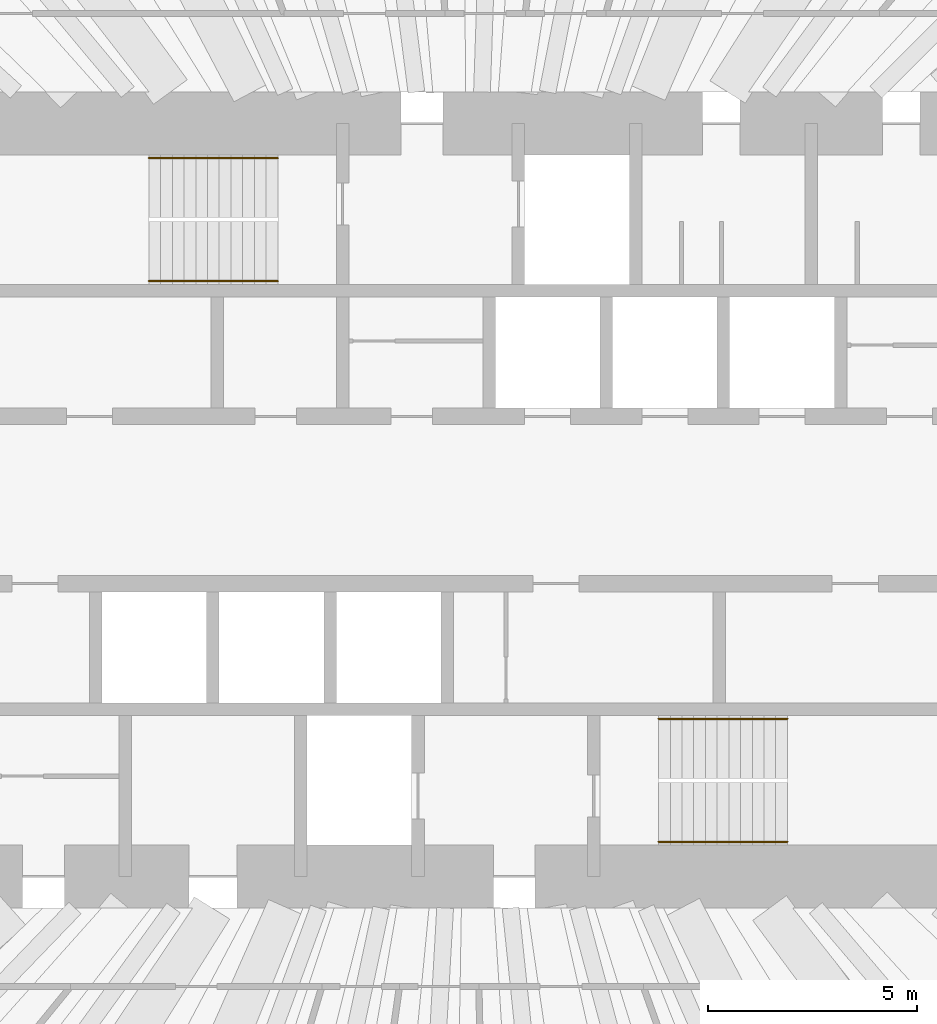
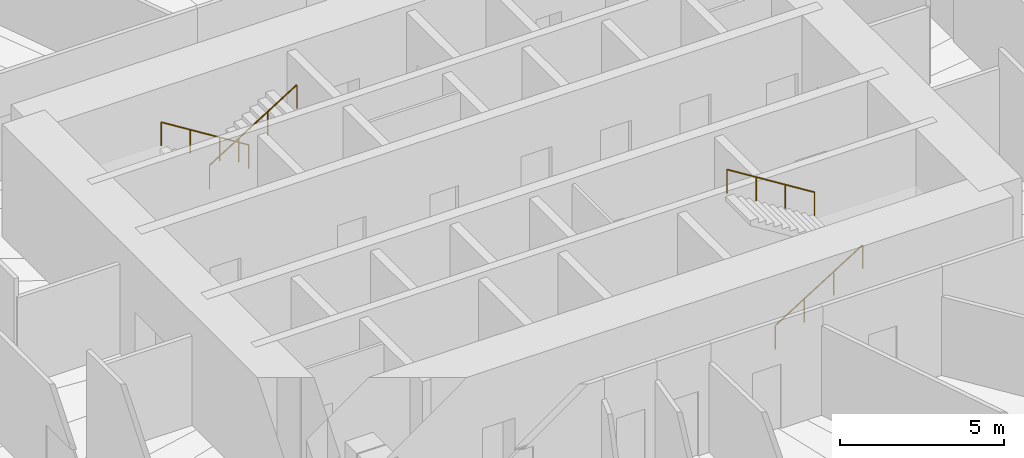
# One storey, part 12 of 12: 4 railings.
"""IFC4 building model written with IfcOpenShell, lengths in metres."""

from ifc_helpers import new_model, si_unit, direction, frame, origin, origin_2d, place, context, subcontext, project, spatial, circle, extrude, material, type_object, element, save


model = new_model("IFC4")

# Units and contexts
model_context = context("Model", 3, precision=1e-05, world=origin(), true_north=direction((0.0, 1.0)))
body_context = subcontext(model_context, "Body", "Model", "MODEL_VIEW")
ifc_project = project(units=[si_unit("LENGTHUNIT", "METRE"), si_unit("AREAUNIT", "SQUARE_METRE"), si_unit("VOLUMEUNIT", "CUBIC_METRE"), si_unit("PLANEANGLEUNIT", "RADIAN"), si_unit("MASSUNIT", "GRAM", prefix="KILO")], contexts=[model_context])

# Site, building, storey
site_placement = place(None, origin())
site = spatial("IfcSite", under=ifc_project, at=site_placement, CompositionType="ELEMENT")
building_placement = place(site_placement, origin())
building = spatial("IfcBuilding", under=site, at=building_placement, Name="Qingtian Harvest Tower", CompositionType="ELEMENT")
storey_placement = place(building_placement, frame((0.0, 0.0, 107.199951171875)))
storey = spatial("IfcBuildingStorey", under=building, at=storey_placement, Name="L21", CompositionType="ELEMENT", Elevation=107.199951171875)

# Railings
ifc_material = material(Name="Stainless steel handrail", Category="steel")
railing_type = type_object("IfcRailingType", Name="Handrail HR1", PredefinedType="HANDRAIL", material=ifc_material)
railing_1_placement = place(storey_placement, frame((-4.550048828125, 8.169921875, 0.175048828125)))
element("IfcRailing", 1, at=railing_1_placement, inside=storey, type_object=railing_type, Name="Handrail HR1 S1 flight 1", PredefinedType="HANDRAIL", context=body_context, shape_type="SweptSolid", body=[
    extrude(circle(Radius=0.02392578125, at=origin_2d()), frame((0.0, 0.0, 0.8759765625), z_axis=(-0.847979421464, 0.0, 0.530029150871), x_axis=(0.0, -1.0, 0.0)), (0.0, 0.0, 1.0), 3.632080078125),
    extrude(circle(Radius=0.02099609375, at=origin_2d()), origin(), (0.0, 0.0, 1.0), 0.851806640625),
    extrude(circle(Radius=0.02099609375, at=origin_2d()), frame((-1.026611328125, 0.0, 0.6416015625)), (0.0, 0.0, 1.0), 0.851806640625),
    extrude(circle(Radius=0.02099609375, at=origin_2d()), frame((-2.05322265625, 0.0, 1.283447265625)), (0.0, 0.0, 1.0), 0.851806640625),
    extrude(circle(Radius=0.02099609375, at=origin_2d()), frame((-3.079833984375, 0.0, 1.925048828125)), (0.0, 0.0, 1.0), 0.851806640625),
])
railing_2_placement = place(storey_placement, frame((-7.6298828125, 5.22998046875, 2.275146484375)))
element("IfcRailing", 2, at=railing_2_placement, inside=storey, type_object=railing_type, Name="Handrail HR1 S1 flight 2", PredefinedType="HANDRAIL", context=body_context, shape_type="SweptSolid", body=[
    extrude(circle(Radius=0.02392578125, at=origin_2d()), frame((0.0, 0.0, 0.8759765625), z_axis=(0.848009633417, 0.0, 0.529980812513), x_axis=(0.0, 1.0, 0.0)), (0.0, 0.0, 1.0), 3.6318359375),
    extrude(circle(Radius=0.02099609375, at=origin_2d()), origin(), (0.0, 0.0, 1.0), 0.851806640625),
    extrude(circle(Radius=0.02099609375, at=origin_2d()), frame((1.026611328125, 0.0, 0.6416015625)), (0.0, 0.0, 1.0), 0.851806640625),
    extrude(circle(Radius=0.02099609375, at=origin_2d()), frame((2.05322265625, 0.0, 1.283203125)), (0.0, 0.0, 1.0), 0.851806640625),
    extrude(circle(Radius=0.02099609375, at=origin_2d()), frame((3.079833984375, 0.0, 1.9248046875)), (0.0, 0.0, 1.0), 0.851806640625),
])
railing_3_placement = place(storey_placement, frame((4.550048828125, -8.169921875, 0.175048828125)))
element("IfcRailing", 3, at=railing_3_placement, inside=storey, type_object=railing_type, Name="Handrail HR1 S2 flight 1", PredefinedType="HANDRAIL", context=body_context, shape_type="SweptSolid", body=[
    extrude(circle(Radius=0.02392578125, at=origin_2d()), frame((0.0, 0.0, 0.8759765625), z_axis=(0.847979421464, 0.0, 0.530029150871), x_axis=(0.0, 1.0, 0.0)), (0.0, 0.0, 1.0), 3.632080078125),
    extrude(circle(Radius=0.02099609375, at=origin_2d()), origin(), (0.0, 0.0, 1.0), 0.851806640625),
    extrude(circle(Radius=0.02099609375, at=origin_2d()), frame((1.026611328125, 0.0, 0.6416015625)), (0.0, 0.0, 1.0), 0.851806640625),
    extrude(circle(Radius=0.02099609375, at=origin_2d()), frame((2.05322265625, 0.0, 1.283447265625)), (0.0, 0.0, 1.0), 0.851806640625),
    extrude(circle(Radius=0.02099609375, at=origin_2d()), frame((3.079833984375, 0.0, 1.925048828125)), (0.0, 0.0, 1.0), 0.851806640625),
])
railing_4_placement = place(storey_placement, frame((7.6298828125, -5.22998046875, 2.275146484375)))
element("IfcRailing", 4, at=railing_4_placement, inside=storey, type_object=railing_type, Name="Handrail HR1 S2 flight 2", PredefinedType="HANDRAIL", context=body_context, shape_type="SweptSolid", body=[
    extrude(circle(Radius=0.02392578125, at=origin_2d()), frame((0.0, 0.0, 0.8759765625), z_axis=(-0.848009633417, 0.0, 0.529980812513), x_axis=(0.0, -1.0, 0.0)), (0.0, 0.0, 1.0), 3.6318359375),
    extrude(circle(Radius=0.02099609375, at=origin_2d()), origin(), (0.0, 0.0, 1.0), 0.851806640625),
    extrude(circle(Radius=0.02099609375, at=origin_2d()), frame((-1.026611328125, 0.0, 0.6416015625)), (0.0, 0.0, 1.0), 0.851806640625),
    extrude(circle(Radius=0.02099609375, at=origin_2d()), frame((-2.05322265625, 0.0, 1.283203125)), (0.0, 0.0, 1.0), 0.851806640625),
    extrude(circle(Radius=0.02099609375, at=origin_2d()), frame((-3.079833984375, 0.0, 1.9248046875)), (0.0, 0.0, 1.0), 0.851806640625),
])

save(model, "model.ifc")
